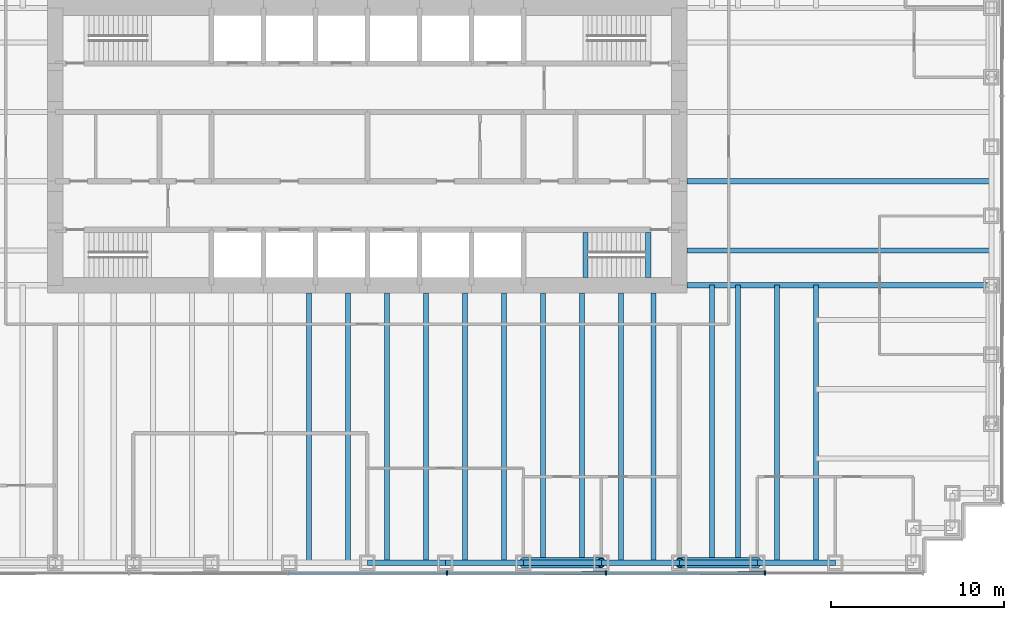
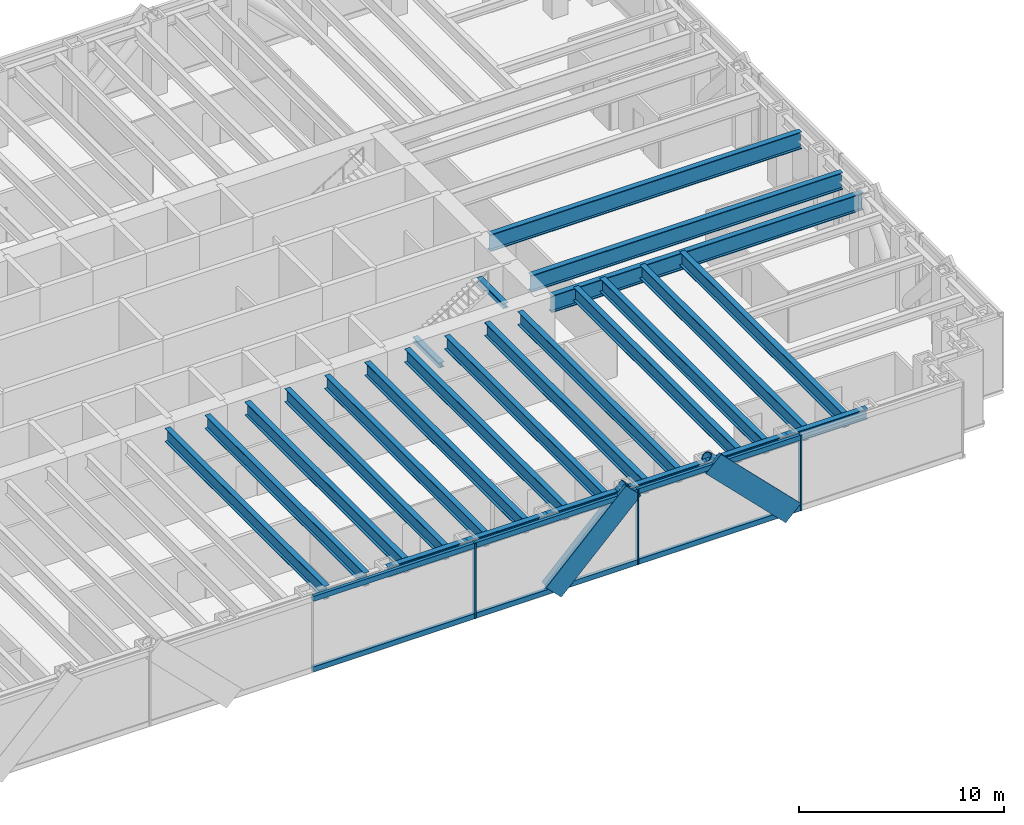
# One storey, part 3 of 13: 25 beams, 13 members, 1 element without a shape of its own.
"""IFC4 building model written with IfcOpenShell, lengths in metres."""

from ifc_helpers import new_model, si_unit, direction, frame, origin, origin_2d, place, context, subcontext, project, spatial, rectangle, hollow_circle, i_section, extrude, material, material_profile, profile_set, type_object, element, aggregate, save


model = new_model("IFC4")

# Units and contexts
model_context = context("Model", 3, precision=1e-05, world=origin(), true_north=direction((0.0, 1.0)))
body_context = subcontext(model_context, "Body", "Model", "MODEL_VIEW")
ifc_project = project(units=[si_unit("LENGTHUNIT", "METRE"), si_unit("AREAUNIT", "SQUARE_METRE"), si_unit("VOLUMEUNIT", "CUBIC_METRE"), si_unit("PLANEANGLEUNIT", "RADIAN"), si_unit("MASSUNIT", "GRAM", prefix="KILO")], contexts=[model_context])

# Site, building, storey
site_placement = place(None, origin())
site = spatial("IfcSite", under=ifc_project, at=site_placement, CompositionType="ELEMENT")
building_placement = place(site_placement, origin())
building = spatial("IfcBuilding", under=site, at=building_placement, Name="Rheinbord Bourse Tower", CompositionType="ELEMENT")
storey_placement = place(building_placement, frame((0.0, 0.0, 72.5)))
storey = spatial("IfcBuildingStorey", under=building, at=storey_placement, Name="L15", CompositionType="ELEMENT", Elevation=72.5)

# Curtain wall, members
ifc_material_1 = material(Name="Dark glass and black aluminium", Category="aluminium")
curtain_wall_type = type_object("IfcCurtainWallType", Name="CW1 DARK GLASS CURTAIN WALL", PredefinedType="USERDEFINED", material=ifc_material_1)
curtain_wall_placement = place(storey_placement, origin())
curtain_wall = element("IfcCurtainWall", 1, at=curtain_wall_placement, inside=storey, type_object=curtain_wall_type, Name="Curtain wall CW1 S L15", ObjectType="UNITISED CURTAIN WALL", PredefinedType="USERDEFINED")
ifc_material_2 = material(Name="Black anodised aluminium", Category="aluminium")
ifc_material_profile_1 = material_profile(ifc_material_2, rectangle(XDim=0.179931640625, YDim=1.2099609375, at=origin_2d()), Name="CW1 DIAGONAL MULLION 1210x180")
ifc_profile_set_1 = profile_set([ifc_material_profile_1], Name="Black anodised aluminium")
member_type_1 = type_object("IfcMemberType", Name="CW1 BLACK DIAGONAL MULLION", PredefinedType="USERDEFINED", material=ifc_profile_set_1)
member_1_placement = place(storey_placement, frame((58.5, -0.60009765625, 0.0), z_axis=(-0.707106781187, 0.0, 0.707106781187), x_axis=(0.0, -1.0, 0.0)))
member_1 = element("IfcMember", 2, at=member_1_placement, type_object=member_type_1, Name="CW1 diagonal mullion a", ObjectType="DIAGONAL MULLION", PredefinedType="USERDEFINED", context=body_context, shape_type="SweptSolid", body=[
    extrude(rectangle(XDim=0.179931640625, YDim=1.2099609375, at=origin_2d()), origin(), (0.0, 0.0, 1.0), 6.364013671875),
])
member_2_placement = place(storey_placement, frame((45.0, -0.60009765625, 0.0), z_axis=(0.707106781187, 0.0, 0.707106781187), x_axis=(0.0, 1.0, 0.0)))
member_2 = element("IfcMember", 3, at=member_2_placement, type_object=member_type_1, Name="CW1 diagonal mullion d", ObjectType="DIAGONAL MULLION", PredefinedType="USERDEFINED", context=body_context, shape_type="SweptSolid", body=[
    extrude(rectangle(XDim=0.179931640625, YDim=1.2099609375, at=origin_2d()), origin(), (0.0, 0.0, 1.0), 6.364013671875),
])
ifc_material_3 = material(Name="Black anodised aluminium", Category="aluminium")
ifc_material_profile_2 = material_profile(ifc_material_3, rectangle(XDim=0.25, YDim=0.080078125, at=origin_2d()), Name="CW1 MULLION 80x250")
ifc_profile_set_2 = profile_set([ifc_material_profile_2], Name="Black anodised aluminium")
member_type_2 = type_object("IfcMemberType", Name="CW1 BLACK MULLION", PredefinedType="MULLION", material=ifc_profile_set_2)
member_3_placement = place(storey_placement, frame((40.585693359375, -0.60009765625, 0.0), z_axis=(0.0, 0.0, 1.0), x_axis=(0.0, 1.0, 0.0)))
member_3 = element("IfcMember", 4, at=member_3_placement, type_object=member_type_2, Name="CW1 mullion 5", PredefinedType="MULLION", context=body_context, shape_type="SweptSolid", body=[
    extrude(rectangle(XDim=0.25, YDim=0.080078125, at=origin_2d()), origin(), (0.0, 0.0, 1.0), 4.5),
])
member_4_placement = place(storey_placement, frame((49.757080078125, -0.60009765625, 0.0), z_axis=(0.0, 0.0, 1.0), x_axis=(0.0, 1.0, 0.0)))
member_4 = element("IfcMember", 5, at=member_4_placement, type_object=member_type_2, Name="CW1 mullion 6", PredefinedType="MULLION", context=body_context, shape_type="SweptSolid", body=[
    extrude(rectangle(XDim=0.25, YDim=0.080078125, at=origin_2d()), origin(), (0.0, 0.0, 1.0), 4.5),
])
member_5_placement = place(storey_placement, frame((58.928466796875, -0.60009765625, 0.0), z_axis=(0.0, 0.0, 1.0), x_axis=(0.0, 1.0, 0.0)))
member_5 = element("IfcMember", 6, at=member_5_placement, type_object=member_type_2, Name="CW1 mullion 7", PredefinedType="MULLION", context=body_context, shape_type="SweptSolid", body=[
    extrude(rectangle(XDim=0.25, YDim=0.080078125, at=origin_2d()), origin(), (0.0, 0.0, 1.0), 4.5),
])
ifc_material_4 = material(Name="Black anodised aluminium", Category="aluminium")
ifc_material_profile_3 = material_profile(ifc_material_4, rectangle(XDim=0.179931640625, YDim=0.300048828125, at=origin_2d()), Name="CW1 TRANSOM 300x180")
ifc_profile_set_3 = profile_set([ifc_material_profile_3], Name="Black anodised aluminium")
member_type_3 = type_object("IfcMemberType", Name="CW1 BLACK TRANSOM", PredefinedType="USERDEFINED", material=ifc_profile_set_3)
member_6_placement = place(storey_placement, frame((31.454345703125, -0.60009765625, 0.14990234375), z_axis=(1.0, 0.0, 0.0), x_axis=(0.0, 1.0, 0.0)))
member_6 = element("IfcMember", 7, at=member_6_placement, type_object=member_type_3, Name="CW1 transom 4.1", ObjectType="TRANSOM", PredefinedType="USERDEFINED", context=body_context, shape_type="SweptSolid", body=[
    extrude(rectangle(XDim=0.179931640625, YDim=0.300048828125, at=origin_2d()), origin(), (0.0, 0.0, 1.0), 9.09130859375),
])
member_7_placement = place(storey_placement, frame((31.454345703125, -0.60009765625, 4.35009765625), z_axis=(1.0, 0.0, 0.0), x_axis=(0.0, 1.0, 0.0)))
member_7 = element("IfcMember", 8, at=member_7_placement, type_object=member_type_3, Name="CW1 transom 4.2", ObjectType="TRANSOM", PredefinedType="USERDEFINED", context=body_context, shape_type="SweptSolid", body=[
    extrude(rectangle(XDim=0.179931640625, YDim=0.300048828125, at=origin_2d()), origin(), (0.0, 0.0, 1.0), 9.09130859375),
])
member_8_placement = place(storey_placement, frame((40.625732421875, -0.60009765625, 0.14990234375), z_axis=(1.0, 0.0, 0.0), x_axis=(0.0, 1.0, 0.0)))
member_8 = element("IfcMember", 9, at=member_8_placement, type_object=member_type_3, Name="CW1 transom 5.1", ObjectType="TRANSOM", PredefinedType="USERDEFINED", context=body_context, shape_type="SweptSolid", body=[
    extrude(rectangle(XDim=0.179931640625, YDim=0.300048828125, at=origin_2d()), origin(), (0.0, 0.0, 1.0), 9.09130859375),
])
member_9_placement = place(storey_placement, frame((40.625732421875, -0.60009765625, 4.35009765625), z_axis=(1.0, 0.0, 0.0), x_axis=(0.0, 1.0, 0.0)))
member_9 = element("IfcMember", 10, at=member_9_placement, type_object=member_type_3, Name="CW1 transom 5.2", ObjectType="TRANSOM", PredefinedType="USERDEFINED", context=body_context, shape_type="SweptSolid", body=[
    extrude(rectangle(XDim=0.179931640625, YDim=0.300048828125, at=origin_2d()), origin(), (0.0, 0.0, 1.0), 9.09130859375),
])
member_10_placement = place(storey_placement, frame((49.797119140625, -0.60009765625, 0.14990234375), z_axis=(1.0, 0.0, 0.0), x_axis=(0.0, 1.0, 0.0)))
member_10 = element("IfcMember", 11, at=member_10_placement, type_object=member_type_3, Name="CW1 transom 6.1", ObjectType="TRANSOM", PredefinedType="USERDEFINED", context=body_context, shape_type="SweptSolid", body=[
    extrude(rectangle(XDim=0.179931640625, YDim=0.300048828125, at=origin_2d()), origin(), (0.0, 0.0, 1.0), 9.091552734375),
])
member_11_placement = place(storey_placement, frame((49.797119140625, -0.60009765625, 4.35009765625), z_axis=(1.0, 0.0, 0.0), x_axis=(0.0, 1.0, 0.0)))
member_11 = element("IfcMember", 12, at=member_11_placement, type_object=member_type_3, Name="CW1 transom 6.2", ObjectType="TRANSOM", PredefinedType="USERDEFINED", context=body_context, shape_type="SweptSolid", body=[
    extrude(rectangle(XDim=0.179931640625, YDim=0.300048828125, at=origin_2d()), origin(), (0.0, 0.0, 1.0), 9.091552734375),
])
aggregate(curtain_wall, [member_3, member_4, member_5, member_6, member_7, member_8, member_9, member_10, member_11, member_1, member_2])

# Beams
ifc_material_5 = material(Name="Steel S460", Category="steel")
ifc_material_profile_4 = material_profile(ifc_material_5, i_section(OverallWidth=0.302001953125, OverallDepth=1.008056640625, WebThickness=0.02099609375, FlangeThickness=0.0400390625, at=origin_2d()), Name="HEM 1000")
ifc_profile_set_4 = profile_set([ifc_material_profile_4], Name="Steel S460")
beam_type_1 = type_object("IfcBeamType", Name="END BEAM HEM 1000", PredefinedType="BEAM", material=ifc_profile_set_4)
for number, where, z_axis, x_axis, name in (
    (13, (54.449951171875, 18.0, 3.81591796875), (1.0, 0.0, 0.0), (0.0, 1.0, 0.0), "End beam east 18 L16"),
    (14, (54.449951171875, 22.0, 3.81591796875), (1.0, 0.0, 0.0), (0.0, 1.0, 0.0), "End beam east 22 L16"),
):
    element("IfcBeam", number, at=place(storey_placement, frame(where, z_axis=z_axis, x_axis=x_axis)), inside=storey, type_object=beam_type_1, Name=name, PredefinedType="BEAM", context=body_context, shape_type="SweptSolid", body=[
        extrude(i_section(OverallWidth=0.302001953125, OverallDepth=1.008056640625, WebThickness=0.02099609375, FlangeThickness=0.0400390625, at=origin_2d()), origin(), (0.0, 0.0, 1.0), 17.550048828125),
    ])
ifc_material_6 = material(Name="Steel S460", Category="steel")
ifc_material_profile_5 = material_profile(ifc_material_6, i_section(OverallWidth=0.300048828125, OverallDepth=0.800048828125, WebThickness=0.017578125, FlangeThickness=0.032958984375, at=origin_2d()), Name="HEB 800")
ifc_profile_set_5 = profile_set([ifc_material_profile_5], Name="Steel S460")
beam_type_2 = type_object("IfcBeamType", Name="FLOOR BEAM HEB 800", PredefinedType="BEAM", material=ifc_profile_set_5)
for number, where, z_axis, x_axis, name in (
    (15, (32.625, 0.0, 3.919921875), (0.0, 1.0, 0.0), (-1.0, 0.0, 0.0), "Floor beam S-31.5a L16"),
    (16, (34.875, 0.0, 3.919921875), (0.0, 1.0, 0.0), (-1.0, 0.0, 0.0), "Floor beam S-31.5b L16"),
    (17, (37.125, 0.0, 3.919921875), (0.0, 1.0, 0.0), (-1.0, 0.0, 0.0), "Floor beam S-36a L16"),
    (18, (39.375, 0.0, 3.919921875), (0.0, 1.0, 0.0), (-1.0, 0.0, 0.0), "Floor beam S-36b L16"),
    (19, (41.625, 0.0, 3.919921875), (0.0, 1.0, 0.0), (-1.0, 0.0, 0.0), "Floor beam S-40.5a L16"),
    (20, (43.875, 0.0, 3.919921875), (0.0, 1.0, 0.0), (-1.0, 0.0, 0.0), "Floor beam S-40.5b L16"),
    (21, (46.125, 0.0, 3.919921875), (0.0, 1.0, 0.0), (-1.0, 0.0, 0.0), "Floor beam S-45a L16"),
    (22, (48.375, 0.0, 3.919921875), (0.0, 1.0, 0.0), (-1.0, 0.0, 0.0), "Floor beam S-45b L16"),
    (23, (50.625, 0.0, 3.919921875), (0.0, 1.0, 0.0), (-1.0, 0.0, 0.0), "Floor beam S-49.5a L16"),
    (24, (52.5, 0.0, 3.919921875), (0.0, 1.0, 0.0), (-1.0, 0.0, 0.0), "Floor beam S-49.5b L16"),
):
    element("IfcBeam", number, at=place(storey_placement, frame(where, z_axis=z_axis, x_axis=x_axis)), inside=storey, type_object=beam_type_2, Name=name, PredefinedType="BEAM", context=body_context, shape_type="SweptSolid", body=[
        extrude(i_section(OverallWidth=0.300048828125, OverallDepth=0.800048828125, WebThickness=0.017578125, FlangeThickness=0.032958984375, at=origin_2d()), origin(), (0.0, 0.0, 1.0), 15.550048828125),
    ])
for number, where, z_axis, x_axis, name in (
    (25, (55.875, 0.0, 3.919921875), (0.0, 1.0, 0.0), (-1.0, 0.0, 0.0), "Floor beam S-54a L16"),
    (26, (57.375, 0.0, 3.919921875), (0.0, 1.0, 0.0), (-1.0, 0.0, 0.0), "Floor beam S-54b L16"),
    (27, (59.625, 0.0, 3.919921875), (0.0, 1.0, 0.0), (-1.0, 0.0, 0.0), "Floor beam S-58.5a L16"),
    (28, (61.875, 0.0, 3.919921875), (0.0, 1.0, 0.0), (-1.0, 0.0, 0.0), "Floor beam S-58.5b L16"),
):
    element("IfcBeam", number, at=place(storey_placement, frame(where, z_axis=z_axis, x_axis=x_axis)), inside=storey, type_object=beam_type_2, Name=name, PredefinedType="BEAM", context=body_context, shape_type="SweptSolid", body=[
        extrude(i_section(OverallWidth=0.300048828125, OverallDepth=0.800048828125, WebThickness=0.017578125, FlangeThickness=0.032958984375, at=origin_2d()), origin(), (0.0, 0.0, 1.0), 16.0),
    ])
ifc_material_7 = material(Name="Steel S460", Category="steel")
ifc_material_profile_6 = material_profile(ifc_material_7, i_section(OverallWidth=0.302001953125, OverallDepth=1.008056640625, WebThickness=0.02099609375, FlangeThickness=0.0400390625, at=origin_2d()), Name="HEM 1000")
ifc_profile_set_6 = profile_set([ifc_material_profile_6], Name="Steel S460")
beam_type_3 = type_object("IfcBeamType", Name="GIRDER HEM 1000", PredefinedType="BEAM", material=ifc_profile_set_6)
beam_placement = place(storey_placement, frame((54.449951171875, 16.0, 3.81591796875), z_axis=(1.0, 0.0, 0.0), x_axis=(0.0, 1.0, 0.0)))
element("IfcBeam", 29, at=beam_placement, inside=storey, type_object=beam_type_3, Name="Girder east 16 L16", PredefinedType="BEAM", context=body_context, shape_type="SweptSolid", body=[
    extrude(i_section(OverallWidth=0.302001953125, OverallDepth=1.008056640625, WebThickness=0.02099609375, FlangeThickness=0.0400390625, at=origin_2d()), origin(), (0.0, 0.0, 1.0), 17.550048828125),
])
ifc_material_8 = material(Name="Steel S460", Category="steel")
ifc_material_profile_7 = material_profile(ifc_material_8, i_section(OverallWidth=0.300048828125, OverallDepth=0.300048828125, WebThickness=0.010986328125, FlangeThickness=0.01904296875, at=origin_2d()), Name="HEB 300")
ifc_profile_set_7 = profile_set([ifc_material_profile_7], Name="Steel S460")
beam_type_4 = type_object("IfcBeamType", Name="LANDING TRIMMER HEB 300", PredefinedType="BEAM", material=ifc_profile_set_7)
for number, where, z_axis, x_axis, name in (
    (30, (48.590087890625, 16.449951171875, 1.89990234375), (0.0, 1.0, 0.0), (-1.0, 0.0, 0.0), "Landing trimmer ST3 L15"),
    (31, (52.199951171875, 16.449951171875, 4.169921875), (0.0, 1.0, 0.0), (-1.0, 0.0, 0.0), "Well trimmer ST3 under L16"),
):
    element("IfcBeam", number, at=place(storey_placement, frame(where, z_axis=z_axis, x_axis=x_axis)), inside=storey, type_object=beam_type_4, Name=name, PredefinedType="BEAM", context=body_context, shape_type="SweptSolid", body=[
        extrude(i_section(OverallWidth=0.300048828125, OverallDepth=0.300048828125, WebThickness=0.010986328125, FlangeThickness=0.01904296875, at=origin_2d()), origin(), (0.0, 0.0, 1.0), 2.60009765625),
    ])

# Members
ifc_material_9 = material(Name="Steel S460", Category="steel")
ifc_material_profile_8 = material_profile(ifc_material_9, hollow_circle(Radius=0.304931640625, WallThickness=0.050048828125, at=origin_2d()), Name="CHS 610x50")
ifc_profile_set_8 = profile_set([ifc_material_profile_8], Name="Steel S460")
member_type_4 = type_object("IfcMemberType", Name="MEGABRACE CHS 610x50", PredefinedType="BRACE", material=ifc_profile_set_8)
for number, where, z_axis, x_axis, name in (
    (32, (58.5, 0.0, 0.0), (-0.707106781187, 0.0, 0.707106781187), (0.0, -1.0, 0.0), "Megabrace S face line a L15"),
    (33, (45.0, 0.0, 0.0), (0.707106781187, 0.0, 0.707106781187), (0.0, 1.0, 0.0), "Megabrace S face line d L15"),
):
    element("IfcMember", number, at=place(storey_placement, frame(where, z_axis=z_axis, x_axis=x_axis)), inside=storey, type_object=member_type_4, Name=name, PredefinedType="BRACE", context=body_context, shape_type="SweptSolid", body=[
        extrude(hollow_circle(Radius=0.304931640625, WallThickness=0.050048828125, at=origin_2d()), origin(), (0.0, 0.0, 1.0), 6.364013671875),
    ])

# Beams
ifc_material_10 = material(Name="Steel S460", Category="steel")
ifc_material_profile_9 = material_profile(ifc_material_10, i_section(OverallWidth=0.304931640625, OverallDepth=0.6201171875, WebThickness=0.02099609375, FlangeThickness=0.0400390625, at=origin_2d()), Name="HEM 600")
ifc_profile_set_9 = profile_set([ifc_material_profile_9], Name="Steel S460")
beam_type_5 = type_object("IfcBeamType", Name="SPANDREL HEM 600", PredefinedType="SPANDREL", material=ifc_profile_set_9)
for number, where, z_axis, x_axis, name in (
    (34, (36.0, 0.0, 4.010009765625), (1.0, 0.0, 0.0), (0.0, 1.0, 0.0), "Spandrel S-36-S-40.5 under L16"),
    (35, (40.5, 0.0, 4.010009765625), (1.0, 0.0, 0.0), (0.0, 1.0, 0.0), "Spandrel S-40.5-S-45 under L16"),
    (36, (45.0, 0.0, 4.010009765625), (1.0, 0.0, 0.0), (0.0, 1.0, 0.0), "Spandrel S-45-S-49.5 under L16"),
    (37, (49.5, 0.0, 4.010009765625), (1.0, 0.0, 0.0), (0.0, 1.0, 0.0), "Spandrel S-49.5-S-54 under L16"),
    (38, (54.0, 0.0, 4.010009765625), (1.0, 0.0, 0.0), (0.0, 1.0, 0.0), "Spandrel S-54-S-58.5 under L16"),
    (39, (58.5, 0.0, 4.010009765625), (1.0, 0.0, 0.0), (0.0, 1.0, 0.0), "Spandrel S-58.5-S-63 under L16"),
):
    element("IfcBeam", number, at=place(storey_placement, frame(where, z_axis=z_axis, x_axis=x_axis)), inside=storey, type_object=beam_type_5, Name=name, PredefinedType="SPANDREL", context=body_context, shape_type="SweptSolid", body=[
        extrude(i_section(OverallWidth=0.304931640625, OverallDepth=0.6201171875, WebThickness=0.02099609375, FlangeThickness=0.0400390625, at=origin_2d()), origin(), (0.0, 0.0, 1.0), 4.5),
    ])

save(model, "model.ifc")
